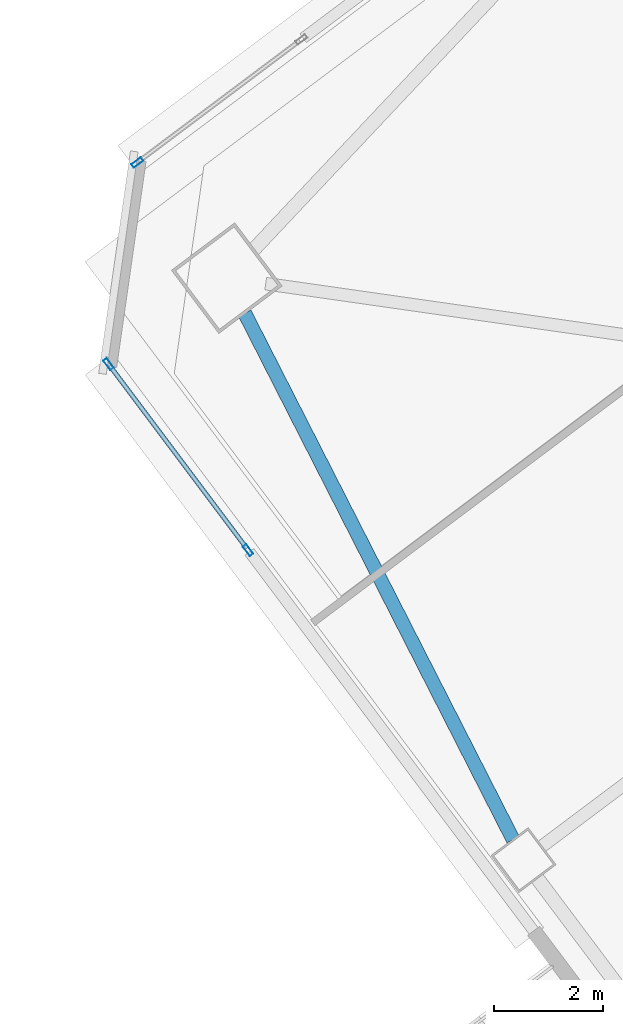
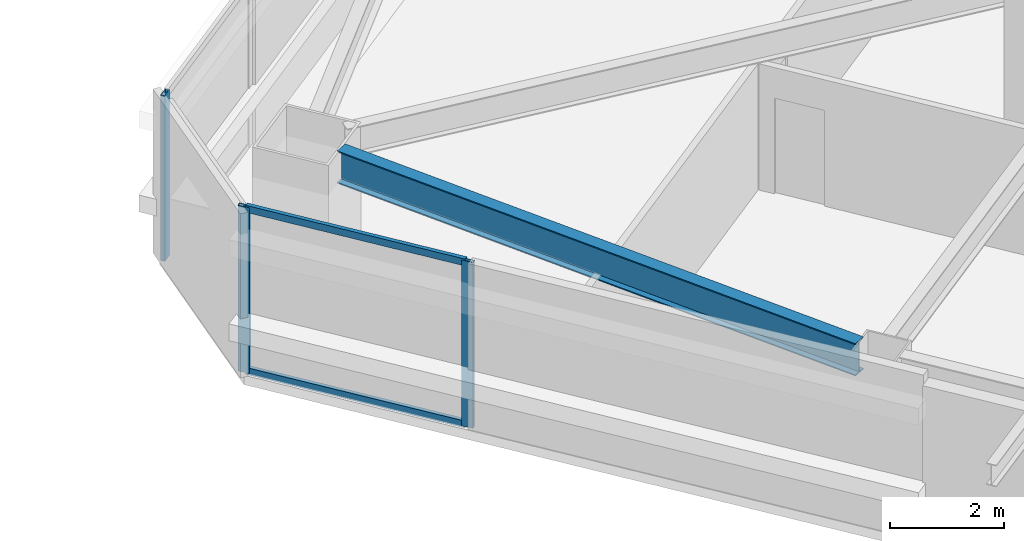
# One storey, part 19 of 44: 5 members, 1 beam, 2 elements without a shape of their own.
"""IFC4 building model written with IfcOpenShell, lengths in metres."""

import ifcopenshell
import ifcopenshell.guid

model = None  # the IFC model being written
_history = None  # IfcOwnerHistory: only IFC2X3 demands one
_inside = {}  # id of a spatial element -> (the spatial element, [elements in it])
_under = {}  # id of a project, library or spatial element -> (it, [spatial elements below it])
_declared = {}  # id of a project -> (the project, [libraries it declares])
_typed = {}  # id of a type object -> (the type object, [elements of that type])
_made_of = {}  # id of a material, layer set ... -> (it, [elements and type objects made of it])


def new_model(schema):
    """Start an empty IFC model of exactly this schema.

    Asked for "IFC4X3", IfcOpenShell would pick the latest addendum, in which some entities
    have other attributes; the version numbers below select the first issue.
    IFC2X3 requires an IfcOwnerHistory on every rooted entity: one is made here for all.
    """
    global model, _history
    if schema == "IFC4X3":
        model = ifcopenshell.file(schema_version=(4, 3, 0, 0))
    else:
        model = ifcopenshell.file(schema=schema)
    _inside.clear()
    _under.clear()
    _declared.clear()
    _typed.clear()
    _made_of.clear()
    _history = None
    if model.schema == "IFC2X3":
        org = make("IfcOrganization", Name="unknown")
        user = make(
            "IfcPersonAndOrganization",
            ThePerson=make("IfcPerson", FamilyName="unknown"),
            TheOrganization=org,
        )
        app = make(
            "IfcApplication",
            ApplicationDeveloper=org,
            Version="unknown",
            ApplicationFullName="unknown",
            ApplicationIdentifier="unknown",
        )
        _history = make(
            "IfcOwnerHistory",
            OwningUser=user,
            OwningApplication=app,
            ChangeAction="ADDED",
            CreationDate=0,
        )
    return model


def make(cls, **values):
    """One entity of the class cls with the attributes given. An attribute that is None is left unset."""
    return model.create_entity(
        cls, **{name: value for name, value in values.items() if value is not None}
    )


def rooted(cls, **values):
    """An entity with a GlobalId (a new one), such as an element, a storey or a relation."""
    return make(cls, GlobalId=ifcopenshell.guid.new(), OwnerHistory=_history, **values)


def si_unit(unit_type, name, prefix=None):
    """IfcSIUnit, for example si_unit("LENGTHUNIT", "METRE", prefix="MILLI")."""
    return make("IfcSIUnit", UnitType=unit_type, Prefix=prefix, Name=name)


def assignment(units):
    """IfcUnitAssignment: the units of a project."""
    return None if units is None else make("IfcUnitAssignment", Units=units)


def point(xyz):
    """IfcCartesianPoint."""
    return None if xyz is None else make("IfcCartesianPoint", Coordinates=xyz)


def direction(xyz):
    """IfcDirection."""
    return None if xyz is None else make("IfcDirection", DirectionRatios=xyz)


def frame(location, z_axis=None, x_axis=None):
    """IfcAxis2Placement3D, a coordinate frame: its origin and axes. An axis left out is left unset."""
    return make(
        "IfcAxis2Placement3D",
        Location=point(location),
        Axis=direction(z_axis),
        RefDirection=direction(x_axis),
    )


def frame_2d(location, x_axis=None):
    """IfcAxis2Placement2D, a coordinate frame in the plane: its origin and x axis."""
    return make(
        "IfcAxis2Placement2D", Location=point(location), RefDirection=direction(x_axis)
    )


def origin():
    """The frame at (0, 0, 0) with its axes left unset."""
    return frame((0.0, 0.0, 0.0))


def origin_2d():
    """The frame at (0, 0) in the plane with its x axis left unset."""
    return frame_2d((0.0, 0.0))


def place(relative_to, where):
    """IfcLocalPlacement: puts the frame where relative to a parent placement (None: the world)."""
    return make(
        "IfcLocalPlacement", PlacementRelTo=relative_to, RelativePlacement=where
    )


def context(
    kind, dimensions, precision=None, world=None, true_north=None, identifier=None
):
    """IfcGeometricRepresentationContext, for example the 3D "Model" context."""
    return make(
        "IfcGeometricRepresentationContext",
        ContextIdentifier=identifier,
        ContextType=kind,
        CoordinateSpaceDimension=dimensions,
        Precision=precision,
        WorldCoordinateSystem=world,
        TrueNorth=true_north,
    )


def subcontext(parent, identifier, kind, view, scale=None):
    """IfcGeometricRepresentationSubContext, for example "Body" below "Model"."""
    return make(
        "IfcGeometricRepresentationSubContext",
        ContextIdentifier=identifier,
        ContextType=kind,
        ParentContext=parent,
        TargetScale=scale,
        TargetView=view,
    )


def project(units=None, contexts=None):
    """IfcProject with its units and contexts."""
    return rooted(
        "IfcProject",
        Name="project",
        RepresentationContexts=contexts,
        UnitsInContext=assignment(units),
    )


def spatial(cls, under=None, at=None, **own):
    """A site, building, storey or space (cls), placed at a placement, below another one or the project."""
    s = rooted(cls, ObjectPlacement=at, **own)
    if under is not None:
        _under.setdefault(under.id(), (under, []))[1].append(s)
    return s


def profile(cls, at=None, kind="AREA", **sizes):
    """A parametric profile (cls). Its sizes go by their IFC names, for example OverallWidth=200.0."""
    return make(cls, ProfileType=kind, Position=at, **sizes)


def hollow_rectangle(**sizes):
    """IfcRectangleHollowProfileDef."""
    return profile("IfcRectangleHollowProfileDef", **sizes)


def i_section(**sizes):
    """IfcIShapeProfileDef."""
    return profile("IfcIShapeProfileDef", **sizes)


def extrude(swept, where, along, depth):
    """IfcExtrudedAreaSolid: the profile swept, set in the frame where, extruded along a direction by depth."""
    return make(
        "IfcExtrudedAreaSolid",
        SweptArea=swept,
        Position=where,
        ExtrudedDirection=direction(along),
        Depth=depth,
    )


def shape(context_of_items, identifier, shape_type, items):
    """IfcShapeRepresentation: the items that make up one representation, for example the "Body"."""
    return make(
        "IfcShapeRepresentation",
        ContextOfItems=context_of_items,
        RepresentationIdentifier=identifier,
        RepresentationType=shape_type,
        Items=items,
    )


def material(Name=None, Category=None):
    """IfcMaterial."""
    return make("IfcMaterial", Name=Name, Category=Category)


def material_profile(
    of_material, cross_section, Name=None, Category=None, Priority=None
):
    """IfcMaterialProfile: a cross section and its material."""
    return make(
        "IfcMaterialProfile",
        Name=Name,
        Material=of_material,
        Profile=cross_section,
        Priority=Priority,
        Category=Category,
    )


def profile_set(profiles, Name=None, composite=None):
    """IfcMaterialProfileSet."""
    return make(
        "IfcMaterialProfileSet",
        Name=Name,
        MaterialProfiles=profiles,
        CompositeProfile=composite,
    )


def made_of(thing, what):
    """Note that an element or type object is made of a material, layer set ...; save() writes the relation."""
    if what is not None:
        _made_of.setdefault(what.id(), (what, []))[1].append(thing)
    return thing


def type_object(cls, material=None, **own):
    """A type object (cls), such as IfcWallType, which elements share."""
    return made_of(rooted(cls, **own), material)


def element(
    cls,
    number,
    at=None,
    inside=None,
    cuts=None,
    type_object=None,
    material=None,
    context=None,
    identifier="Body",
    shape_type=None,
    held_by="IfcProductDefinitionShape",
    body=None,
    shapes=None,
    **own,
):
    """One element of the class cls, such as IfcWall. Its Tag is "e" and its number.

    at: its placement. inside: the storey or other place that contains it. cuts: it is an
    opening in that element (IfcRelVoidsElement). A single representation is given by context,
    identifier, shape_type and body (its items); several are given by shapes. held_by: the class
    of the entity that holds the representations. save() writes the other relations.
    """
    e = rooted(cls, Tag="e%d" % number, ObjectPlacement=at, **own)
    if body is not None:
        shapes = [shape(context, identifier, shape_type, body)]
    if shapes is not None:
        e.Representation = make(held_by, Representations=shapes)
    if inside is not None:
        _inside.setdefault(inside.id(), (inside, []))[1].append(e)
    if cuts is not None:
        rooted(
            "IfcRelVoidsElement", RelatingBuildingElement=cuts, RelatedOpeningElement=e
        )
    if type_object is not None:
        _typed.setdefault(type_object.id(), (type_object, []))[1].append(e)
    return made_of(e, material)


def aggregate(whole, parts):
    """IfcRelAggregates: a whole, such as a stair, and the parts it consists of."""
    return rooted("IfcRelAggregates", RelatingObject=whole, RelatedObjects=parts)


def save(model, path):
    """Write the relations noted so far, then the file.

    IfcRelAggregates (storeys below a building ...), IfcRelContainedInSpatialStructure (elements
    in a storey), IfcRelDefinesByType, IfcRelAssociatesMaterial and IfcRelDeclares: one each for
    every whole, place, type object, material and project.
    """
    for whole, parts in _under.values():
        aggregate(whole, parts)
    for where, things in _inside.values():
        rooted(
            "IfcRelContainedInSpatialStructure",
            RelatedElements=things,
            RelatingStructure=where,
        )
    for kind, things in _typed.values():
        rooted("IfcRelDefinesByType", RelatedObjects=things, RelatingType=kind)
    for what, things in _made_of.values():
        rooted("IfcRelAssociatesMaterial", RelatedObjects=things, RelatingMaterial=what)
    for by, libraries in _declared.values():
        rooted("IfcRelDeclares", RelatingContext=by, RelatedDefinitions=libraries)
    model.write(path)


model = new_model("IFC4")

# Units and contexts
model_context = context("Model", 3, precision=1e-05, world=origin(), true_north=direction((0.0, 1.0)))
body_context = subcontext(model_context, "Body", "Model", "MODEL_VIEW")
ifc_project = project(units=[si_unit("LENGTHUNIT", "METRE"), si_unit("AREAUNIT", "SQUARE_METRE"), si_unit("VOLUMEUNIT", "CUBIC_METRE"), si_unit("PLANEANGLEUNIT", "RADIAN"), si_unit("MASSUNIT", "GRAM", prefix="KILO")], contexts=[model_context])

# Site, building, storey
site_placement = place(None, origin())
site = spatial("IfcSite", under=ifc_project, at=site_placement, CompositionType="ELEMENT")
building_placement = place(site_placement, origin())
building = spatial("IfcBuilding", under=site, at=building_placement, Name="Tashvorn Skyway Center", CompositionType="ELEMENT")
storey_placement = place(building_placement, frame((0.0, 0.0, 84.949951171875)))
storey = spatial("IfcBuildingStorey", under=building, at=storey_placement, Name="L22", CompositionType="ELEMENT", Elevation=84.949951171875)

# Beam
ifc_material_1 = material(Name="Steel ASTM A992 Grade 50", Category="steel")
ifc_material_profile_1 = material_profile(ifc_material_1, i_section(OverallWidth=0.256103515625, OverallDepth=0.693115234375, WebThickness=0.014404296875, FlangeThickness=0.023681640625, at=origin_2d()), Name="W27X114")
ifc_profile_set_1 = profile_set([ifc_material_profile_1], Name="Steel ASTM A992 Grade 50")
beam_type = type_object("IfcBeamType", Name="BM-SPANDREL-W27X114", PredefinedType="SPANDREL", material=ifc_profile_set_1)
beam_placement = place(storey_placement, frame((90.2470703125, 34.798583984375, 3.003662109375), z_axis=(0.454210938961, -0.890894170442, 0.0), x_axis=(0.890894170442, 0.454210938961, 0.0)))
element("IfcBeam", 1, at=beam_placement, inside=storey, type_object=beam_type, Name="Tower 2 L22 Spandrel Beam 10", PredefinedType="SPANDREL", context=body_context, shape_type="SweptSolid", body=[
    extrude(i_section(OverallWidth=0.256103515625, OverallDepth=0.693115234375, WebThickness=0.014404296875, FlangeThickness=0.023681640625, at=origin_2d()), origin(), (0.0, 0.0, 1.0), 10.836669921875),
])

# Curtain wall, members
ifc_material_2 = material(Name="Thermally broken bronze-anodized aluminium 6063-T6", Category="aluminium")
curtain_wall_type = type_object("IfcCurtainWallType", Name="CW-CW-Z2", PredefinedType="NOTDEFINED", material=ifc_material_2)
curtain_wall_1_placement = place(storey_placement, origin())
curtain_wall_1 = element("IfcCurtainWall", 2, at=curtain_wall_1_placement, inside=storey, type_object=curtain_wall_type, Name="Tower 2 L22 West Curtain Wall R Glazing Group 1", PredefinedType="NOTDEFINED")
ifc_material_profile_2 = material_profile(ifc_material_2, hollow_rectangle(XDim=0.080078125, YDim=0.219970703125, WallThickness=0.0048828125, at=origin_2d()), Name="ALU-MULL-80x220")
ifc_profile_set_2 = profile_set([ifc_material_profile_2], Name="Thermally broken bronze-anodized aluminium 6063-T6")
member_type_1 = type_object("IfcMemberType", Name="CWM-CW-Z2", PredefinedType="MULLION", material=ifc_profile_set_2)
member_1_placement = place(storey_placement, frame((90.31005859375, 30.453369140625, 0.0), z_axis=(0.0, 0.0, 1.0), x_axis=(-0.800002762832, -0.599996316206, 0.0)))
member_1 = element("IfcMember", 3, at=member_1_placement, type_object=member_type_1, Name="CW-Z2 mullion 1", PredefinedType="MULLION", context=body_context, shape_type="SweptSolid", body=[
    extrude(hollow_rectangle(XDim=0.080078125, YDim=0.219970703125, WallThickness=0.0048828125, at=origin_2d()), origin(), (0.0, 0.0, 1.0), 3.550048828125),
])
member_2_placement = place(storey_placement, frame((87.751953125, 33.864013671875, 0.0), z_axis=(0.0, 0.0, 1.0), x_axis=(-0.800002762832, -0.599996316206, 0.0)))
member_2 = element("IfcMember", 4, at=member_2_placement, type_object=member_type_1, Name="CW-Z2 mullion 2", PredefinedType="MULLION", context=body_context, shape_type="SweptSolid", body=[
    extrude(hollow_rectangle(XDim=0.080078125, YDim=0.219970703125, WallThickness=0.0048828125, at=origin_2d()), origin(), (0.0, 0.0, 1.0), 3.550048828125),
])

# Curtain wall, member
curtain_wall_2_placement = place(storey_placement, origin())
curtain_wall_2 = element("IfcCurtainWall", 5, at=curtain_wall_2_placement, inside=storey, type_object=curtain_wall_type, Name="Tower 2 L22 North Unitised Curtain Wall Glazing Group 1", PredefinedType="NOTDEFINED")
member_3_placement = place(storey_placement, frame((88.280029296875, 37.56005859375, 0.0), z_axis=(0.0, 0.0, 1.0), x_axis=(-0.600000000002, 0.799999999998, 0.0)))
member_3 = element("IfcMember", 6, at=member_3_placement, type_object=member_type_1, Name="CW-Z2 mullion 1", PredefinedType="MULLION", context=body_context, shape_type="SweptSolid", body=[
    extrude(hollow_rectangle(XDim=0.080078125, YDim=0.219970703125, WallThickness=0.0048828125, at=origin_2d()), origin(), (0.0, 0.0, 1.0), 3.550048828125),
])
aggregate(curtain_wall_2, [member_3])

# Member
ifc_material_profile_3 = material_profile(ifc_material_2, hollow_rectangle(XDim=0.080078125, YDim=0.14990234375, WallThickness=0.00439453125, at=origin_2d()), Name="ALU-TRAN-80x150")
ifc_profile_set_3 = profile_set([ifc_material_profile_3], Name="Thermally broken bronze-anodized aluminium 6063-T6")
member_type_2 = type_object("IfcMemberType", Name="CWT-CW-Z2", PredefinedType="USERDEFINED", material=ifc_profile_set_3)
member_4_placement = place(storey_placement, frame((90.285888671875, 30.4853515625, 0.0400390625), z_axis=(-0.6, 0.8, 0.0), x_axis=(-0.8, -0.6, 0.0)))
member_4 = element("IfcMember", 7, at=member_4_placement, type_object=member_type_2, Name="CW-Z2 transom 1.1", ObjectType="TRANSOM", PredefinedType="USERDEFINED", context=body_context, shape_type="SweptSolid", body=[
    extrude(hollow_rectangle(XDim=0.080078125, YDim=0.14990234375, WallThickness=0.00439453125, at=origin_2d()), origin(), (0.0, 0.0, 1.0), 4.183349609375),
])

member_5_placement = place(storey_placement, frame((90.285888671875, 30.4853515625, 3.510009765625), z_axis=(-0.6, 0.8, 0.0), x_axis=(-0.8, -0.6, 0.0)))
member_5 = element("IfcMember", 8, at=member_5_placement, type_object=member_type_2, Name="CW-Z2 transom 1.2", ObjectType="TRANSOM", PredefinedType="USERDEFINED", context=body_context, shape_type="SweptSolid", body=[
    extrude(hollow_rectangle(XDim=0.080078125, YDim=0.14990234375, WallThickness=0.00439453125, at=origin_2d()), origin(), (0.0, 0.0, 1.0), 4.183349609375),
])

aggregate(curtain_wall_1, [member_1, member_2, member_4, member_5])

save(model, "model.ifc")
